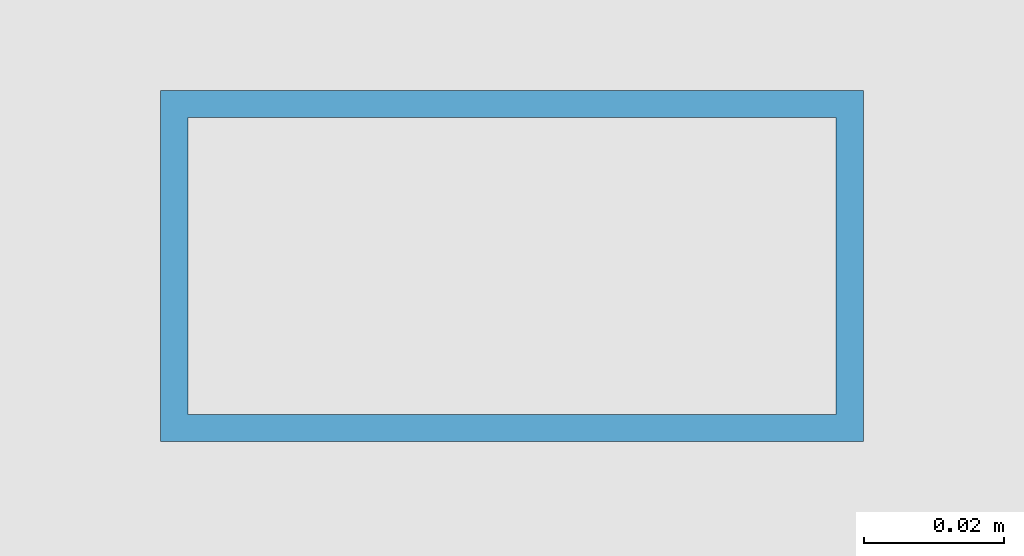
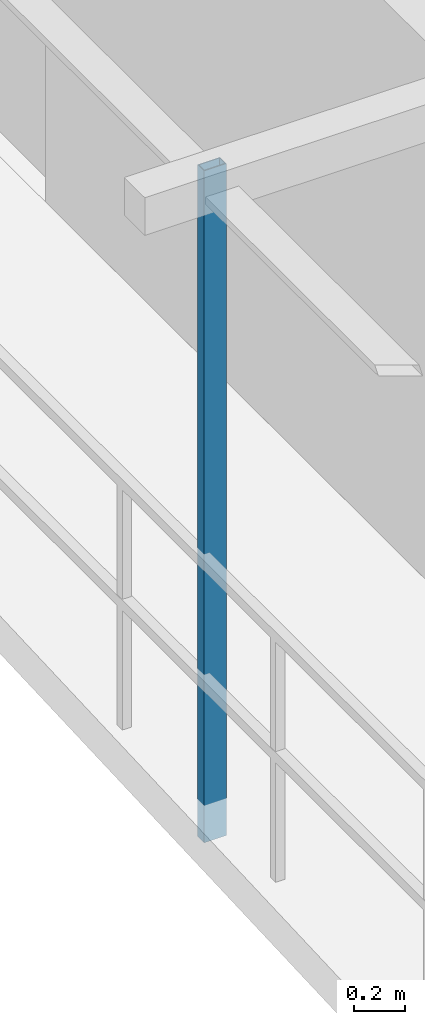
# One storey, part 3 of 16: 1 member.
"""IFC4 building model written with IfcOpenShell, lengths in metres."""

from ifc_helpers import new_model, si_unit, direction, frame, origin, origin_2d, place, context, subcontext, project, spatial, hollow_rectangle, extrude, source, transform, mapped, material, material_profile, profile_set, type_object, element, save


model = new_model("IFC4")

# Units and contexts
model_context = context("Model", 3, precision=1e-05, world=origin(), true_north=direction((0.0, 1.0)))
body_context = subcontext(model_context, "Body", "Model", "MODEL_VIEW")
ifc_project = project(units=[si_unit("LENGTHUNIT", "METRE"), si_unit("AREAUNIT", "SQUARE_METRE"), si_unit("VOLUMEUNIT", "CUBIC_METRE"), si_unit("PLANEANGLEUNIT", "RADIAN"), si_unit("MASSUNIT", "GRAM", prefix="KILO"), si_unit("THERMODYNAMICTEMPERATUREUNIT", "KELVIN"), si_unit("POWERUNIT", "WATT")], contexts=[model_context])

# Site, building, storey
site_placement = place(None, origin())
site = spatial("IfcSite", under=ifc_project, at=site_placement, CompositionType="ELEMENT")
building_placement = place(site_placement, origin())
building = spatial("IfcBuilding", under=site, at=building_placement, Name="Qiaomeng Ring Towers", CompositionType="ELEMENT")
storey_placement = place(building_placement, frame((0.0, 0.0, 229.5)))
storey = spatial("IfcBuildingStorey", under=building, at=storey_placement, Name="L67", CompositionType="ELEMENT", Elevation=229.5)

# Member
ifc_material = material(Name="Stainless steel 316", Category="steel")
ifc_material_profile = material_profile(ifc_material, hollow_rectangle(XDim=0.050048828125, YDim=0.10009765625, WallThickness=0.00390625, at=origin_2d()), Name="SS TRELLIS 100x50")
ifc_profile_set = profile_set([ifc_material_profile], Name="Stainless steel 316")
member_type = type_object("IfcMemberType", Name="ARC-TR-POST2", PredefinedType="STUD", material=ifc_profile_set)
shared_shape = source(origin(), body_context, "Body", "SweptSolid", [
    extrude(hollow_rectangle(XDim=0.050048828125, YDim=0.10009765625, WallThickness=0.00390625, at=origin_2d()), origin(), (0.0, 0.0, 1.0), 3.2099609375),
])
member_placement = place(storey_placement, frame((0.72998046875, 20.0, -0.179931640625), z_axis=(0.0, 0.0, 1.0), x_axis=(0.0, 1.0, 0.0)))
element("IfcMember", 1, at=member_placement, inside=storey, type_object=member_type, Name="L67 Outer Ventilated Trellis Post W", PredefinedType="STUD", context=body_context, shape_type="MappedRepresentation", body=[
    mapped(shared_shape, transform((0.0, 0.0, 0.0), x_axis=(1.0, 0.0, 0.0), y_axis=(0.0, 1.0, 0.0), z_axis=(0.0, 0.0, 1.0), scale=1.0)),
])

save(model, "model.ifc")
